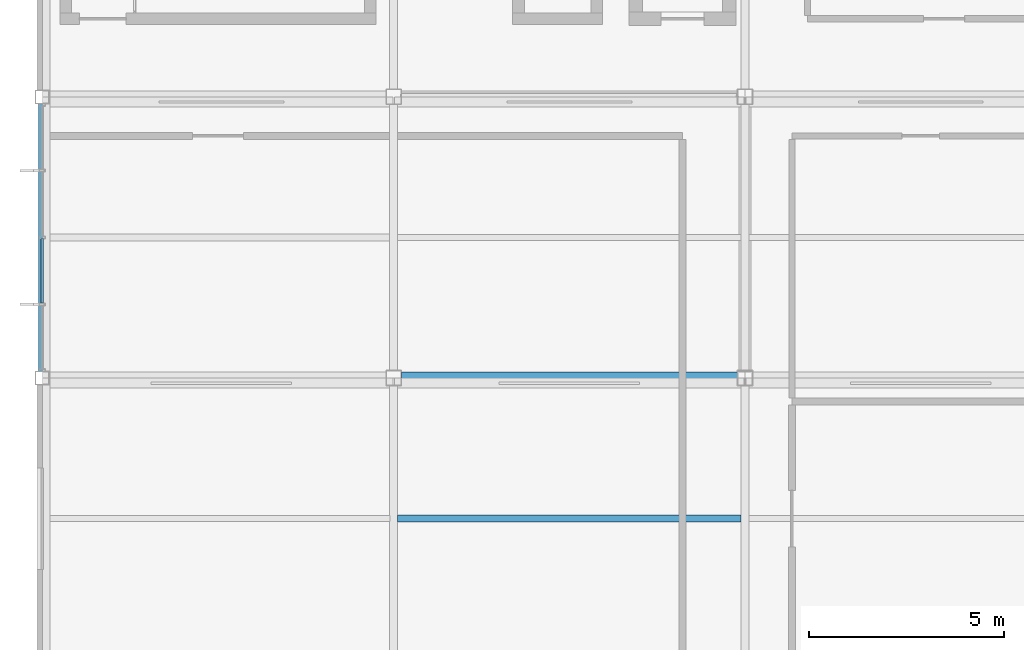
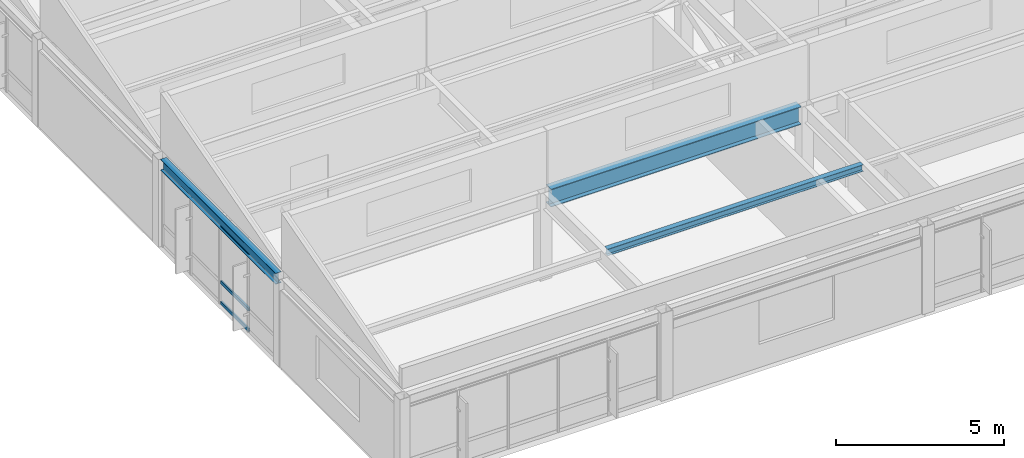
# One storey, part 9 of 43: 3 beams, 3 members, 1 element without a shape of its own.
"""IFC4 building model written with IfcOpenShell, lengths in metres."""

from ifc_helpers import new_model, si_unit, direction, frame, origin, origin_2d, place, context, subcontext, project, spatial, hollow_rectangle, i_section, extrude, material, material_profile, profile_set, type_object, element, aggregate, save


model = new_model("IFC4")

# Units and contexts
model_context = context("Model", 3, precision=1e-05, world=origin(), true_north=direction((0.0, 1.0)))
body_context = subcontext(model_context, "Body", "Model", "MODEL_VIEW")
ifc_project = project(units=[si_unit("LENGTHUNIT", "METRE"), si_unit("AREAUNIT", "SQUARE_METRE"), si_unit("VOLUMEUNIT", "CUBIC_METRE"), si_unit("PLANEANGLEUNIT", "RADIAN"), si_unit("MASSUNIT", "GRAM", prefix="KILO")], contexts=[model_context])

# Site, building, storey
site_placement = place(None, origin())
site = spatial("IfcSite", under=ifc_project, at=site_placement, CompositionType="ELEMENT")
building_placement = place(site_placement, origin())
building = spatial("IfcBuilding", under=site, at=building_placement, Name="Kazanami Central Library", CompositionType="ELEMENT")
storey_placement = place(building_placement, frame((0.0, 0.0, 20.60009765625)))
storey = spatial("IfcBuildingStorey", under=building, at=storey_placement, Name="L06", CompositionType="ELEMENT", Elevation=20.60009765625)

# Beams
ifc_material_1 = material(Name="Steel SN400B (235 MPa)", Category="steel")
ifc_material_profile_1 = material_profile(ifc_material_1, i_section(OverallWidth=0.175048828125, OverallDepth=0.243896484375, WebThickness=0.007080078125, FlangeThickness=0.010986328125, at=origin_2d()), Name="H-244x175x7x11")
ifc_profile_set_1 = profile_set([ifc_material_profile_1], Name="Steel SN400B (235 MPa)")
beam_type_1 = type_object("IfcBeamType", Name="BM-B-S6", PredefinedType="JOIST", material=ifc_profile_set_1)
beam_1_placement = place(storey_placement, frame((9.097900390625, 68.39990234375, 3.057861328125), z_axis=(1.0, 0.0, 0.0), x_axis=(0.0, 1.0, 0.0)))
element("IfcBeam", 1, at=beam_1_placement, inside=storey, type_object=beam_type_1, Name="Composite Secondary Joist B-S6 L06 Bay 2/K.1", PredefinedType="JOIST", context=body_context, shape_type="SweptSolid", body=[
    extrude(i_section(OverallWidth=0.175048828125, OverallDepth=0.243896484375, WebThickness=0.007080078125, FlangeThickness=0.010986328125, at=origin_2d()), origin(), (0.0, 0.0, 1.0), 8.80419921875),
])
ifc_material_2 = material(Name="Steel SN490B (325 MPa)", Category="steel")
ifc_material_profile_2 = material_profile(ifc_material_2, i_section(OverallWidth=0.300048828125, OverallDepth=0.64990234375, WebThickness=0.012939453125, FlangeThickness=0.02099609375, at=origin_2d()), Name="H-650x300x13x21")
ifc_profile_set_2 = profile_set([ifc_material_profile_2], Name="Steel SN490B (325 MPa)")
beam_type_2 = type_object("IfcBeamType", Name="BM-G-TR", PredefinedType="BEAM", material=ifc_profile_set_2)
beam_2_placement = place(storey_placement, frame((9.197998046875, 72.0, 2.85498046875), z_axis=(1.0, 0.0, 0.0), x_axis=(0.0, 1.0, 0.0)))
element("IfcBeam", 2, at=beam_2_placement, inside=storey, type_object=beam_type_2, Name="Girder G-TR L06 L/2-3", PredefinedType="BEAM", context=body_context, shape_type="SweptSolid", body=[
    extrude(i_section(OverallWidth=0.300048828125, OverallDepth=0.64990234375, WebThickness=0.012939453125, FlangeThickness=0.02099609375, at=origin_2d()), origin(), (0.0, 0.0, 1.0), 8.60400390625),
])
ifc_material_profile_3 = material_profile(ifc_material_2, i_section(OverallWidth=0.199951171875, OverallDepth=0.39990234375, WebThickness=0.008056640625, FlangeThickness=0.012939453125, at=origin_2d()), Name="H-400x200x8x13")
ifc_profile_set_3 = profile_set([ifc_material_profile_3], Name="Steel SN490B (325 MPa)")
beam_type_3 = type_object("IfcBeamType", Name="BM-SP-3", PredefinedType="SPANDREL", material=ifc_profile_set_3)
beam_3_placement = place(storey_placement, frame((0.0, 72.173095703125, 2.97998046875), z_axis=(0.0, 1.0, 0.0), x_axis=(-1.0, 0.0, 0.0)))
element("IfcBeam", 3, at=beam_3_placement, inside=storey, type_object=beam_type_3, Name="Girder SP-3 L06 1/L-M", PredefinedType="SPANDREL", context=body_context, shape_type="SweptSolid", body=[
    extrude(i_section(OverallWidth=0.199951171875, OverallDepth=0.39990234375, WebThickness=0.008056640625, FlangeThickness=0.012939453125, at=origin_2d()), origin(), (0.0, 0.0, 1.0), 6.85400390625),
])

# Curtain wall, members
ifc_material_3 = material(Name="Acid-Etched Low-E Laminated Glass", Category="glass")
curtain_wall_type = type_object("IfcCurtainWallType", Name="CW-6850x2780-M180", PredefinedType="USERDEFINED", material=ifc_material_3)
curtain_wall_placement = place(storey_placement, origin())
curtain_wall = element("IfcCurtainWall", 4, at=curtain_wall_placement, inside=storey, type_object=curtain_wall_type, Name="Unitised Curtain Wall CW-58 L06 W-1-10", ObjectType="UNITISED CURTAIN WALL", PredefinedType="USERDEFINED")
ifc_material_4 = material(Name="Anodised Aluminium A6063-T5", Category="aluminium")
ifc_material_profile_4 = material_profile(ifc_material_4, hollow_rectangle(XDim=0.06005859375, YDim=0.1201171875, WallThickness=0.00341796875, at=origin_2d()), Name="ALU-TRAN-60x120x3.5")
ifc_profile_set_4 = profile_set([ifc_material_profile_4], Name="Anodised Aluminium A6063-T5")
member_type = type_object("IfcMemberType", Name="MEM-CW-T3", PredefinedType="USERDEFINED", material=ifc_profile_set_4)
member_1_placement = place(storey_placement, frame((0.0, 73.91748046875, 0.02978515625), z_axis=(0.0, 1.0, 0.0), x_axis=(-1.0, 0.0, 0.0)))
member_1 = element("IfcMember", 5, at=member_1_placement, type_object=member_type, Name="CW-58 transom 2.1", ObjectType="TRANSOM", PredefinedType="USERDEFINED", context=body_context, shape_type="SweptSolid", body=[
    extrude(hollow_rectangle(XDim=0.06005859375, YDim=0.1201171875, WallThickness=0.00341796875, at=origin_2d()), origin(), (0.0, 0.0, 1.0), 1.652587890625),
])
member_2_placement = place(storey_placement, frame((0.0, 73.91748046875, 0.77978515625), z_axis=(0.0, 1.0, 0.0), x_axis=(-1.0, 0.0, 0.0)))
member_2 = element("IfcMember", 6, at=member_2_placement, type_object=member_type, Name="CW-58 transom 2.2", ObjectType="TRANSOM", PredefinedType="USERDEFINED", context=body_context, shape_type="SweptSolid", body=[
    extrude(hollow_rectangle(XDim=0.06005859375, YDim=0.1201171875, WallThickness=0.00341796875, at=origin_2d()), origin(), (0.0, 0.0, 1.0), 1.652587890625),
])
member_3_placement = place(storey_placement, frame((0.0, 73.91748046875, 2.75), z_axis=(0.0, 1.0, 0.0), x_axis=(-1.0, 0.0, 0.0)))
member_3 = element("IfcMember", 7, at=member_3_placement, type_object=member_type, Name="CW-58 transom 2.3", ObjectType="TRANSOM", PredefinedType="USERDEFINED", context=body_context, shape_type="SweptSolid", body=[
    extrude(hollow_rectangle(XDim=0.06005859375, YDim=0.1201171875, WallThickness=0.00341796875, at=origin_2d()), origin(), (0.0, 0.0, 1.0), 1.652587890625),
])
aggregate(curtain_wall, [member_1, member_2, member_3])

save(model, "model.ifc")
